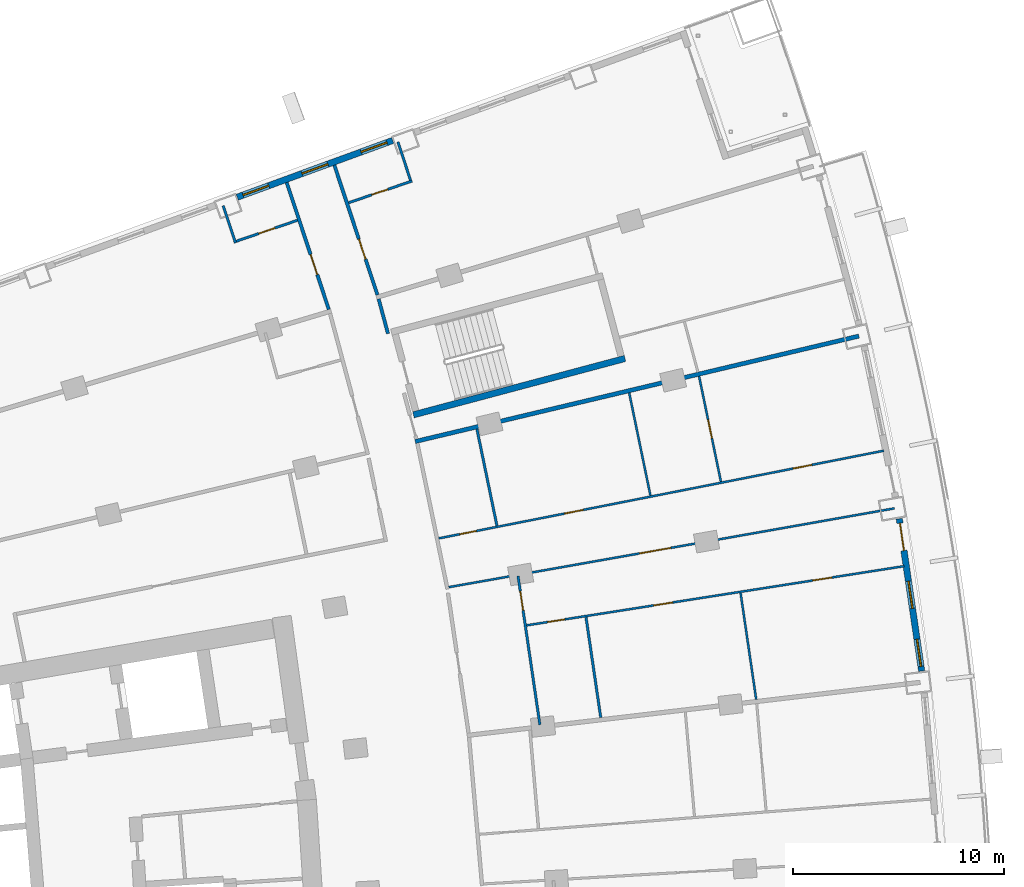
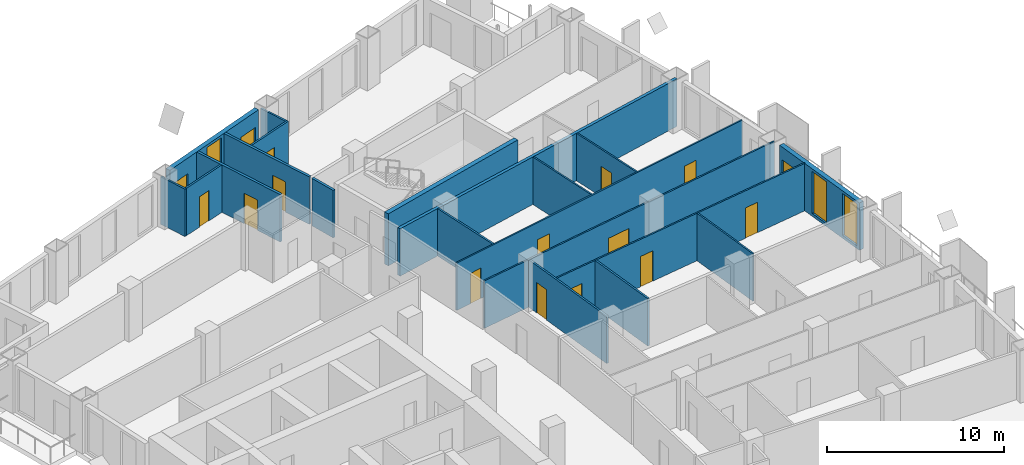
# One storey, part 20 of 25: 20 walls, 14 doors, 5 windows, 19 openings.
"""IFC4 building model written with IfcOpenShell, lengths in metres."""

from ifc_helpers import new_model, si_unit, direction, frame, frame_2d, origin, place, context, subcontext, project, spatial, rectangle, extrude, material, layer, layer_set, type_object, element, fill, save


model = new_model("IFC4")

# Units and contexts
model_context = context("Model", 3, precision=1e-05, world=origin(), true_north=direction((0.0, 1.0)))
body_context = subcontext(model_context, "Body", "Model", "MODEL_VIEW")
ifc_project = project(units=[si_unit("LENGTHUNIT", "METRE"), si_unit("AREAUNIT", "SQUARE_METRE"), si_unit("VOLUMEUNIT", "CUBIC_METRE"), si_unit("PLANEANGLEUNIT", "RADIAN"), si_unit("MASSUNIT", "GRAM", prefix="KILO")], contexts=[model_context])

# Site, building, storey
site_placement = place(None, origin())
site = spatial("IfcSite", under=ifc_project, at=site_placement, CompositionType="ELEMENT")
building_placement = place(site_placement, origin())
building = spatial("IfcBuilding", under=site, at=building_placement, Name="Alderwake Tower", CompositionType="ELEMENT")
storey_placement = place(building_placement, frame((0.0, 0.0, 60.800048828125)))
storey = spatial("IfcBuildingStorey", under=building, at=storey_placement, Name="L14", CompositionType="ELEMENT", Elevation=60.800048828125)

# Wall
ifc_material_1 = material(Name="Concrete C70/85", Category="concrete")
ifc_layer_1 = layer(ifc_material_1, 0.300048828125)
ifc_layer_set_1 = layer_set([ifc_layer_1], Name="Core wall stair enclosure 300 C70-85")
wall_type_1 = type_object("IfcWallType", Name="Core wall stair enclosure 300 C70-85", PredefinedType="SHEAR", material=ifc_layer_set_1)
wall_1_placement = place(storey_placement, frame((37.75390625, 90.268798828125, 0.0), z_axis=(0.0, 0.0, 1.0), x_axis=(0.966309214305, 0.257383958996, 0.0)))
element("IfcWall", 1, at=wall_1_placement, inside=storey, type_object=wall_type_1, Name="Core wall CW.084", PredefinedType="SHEAR", context=body_context, shape_type="SweptSolid", body=[
    extrude(rectangle(XDim=10.360107421875, YDim=0.300048828125, at=frame_2d((5.18017578125, 0.0))), origin(), (0.0, 0.0, 1.0), 3.599853515625),
])

# Wall, opening, door
ifc_material_2 = material(Name="Gypsum board on metal studs, rated")
ifc_layer_2 = layer(ifc_material_2, 0.159912109375)
ifc_layer_set_2 = layer_set([ifc_layer_2], Name="Corridor wall 160")
wall_type_2 = type_object("IfcWallType", Name="Corridor wall 160", PredefinedType="PARTITIONING", material=ifc_layer_set_2)
wall_2_placement = place(storey_placement, frame((33.75146484375, 95.2548828125, 0.0), z_axis=(0.0, 0.0, 1.0), x_axis=(-0.315406156735, 0.948956772616, 0.0)))
wall_2 = element("IfcWall", 2, at=wall_2_placement, inside=storey, type_object=wall_type_2, Name="WL/L14/W17", PredefinedType="PARTITIONING", context=body_context, shape_type="SweptSolid", body=[
    extrude(rectangle(XDim=6.330078125, YDim=0.159912109375, at=frame_2d((3.1650390625, 0.0))), origin(), (0.0, 0.0, 1.0), 3.280029296875),
])
opening_1_placement = place(wall_2_placement, frame((1.737060546875, 0.0, 0.0)))
opening_1 = element("IfcOpeningElement", 3, at=opening_1_placement, cuts=wall_2, Name="Opening R03-U12.1", PredefinedType="OPENING", context=body_context, shape_type="SweptSolid", body=[
    extrude(rectangle(XDim=1.0, YDim=2.10009765625, at=frame_2d((0.5, 1.050048828125))), frame((0.0, 0.08984375, 0.0), z_axis=(0.0, -1.0, 0.0), x_axis=(1.0, 0.0, 0.0)), (0.0, 0.0, 1.0), 0.179931640625),
])
ifc_material_3 = material(Name="Solid timber leaf in steel frame", Category="steel")
door_type_1 = type_object("IfcDoorType", Name="Flat entrance door 1000 fire-rated", OperationType="SINGLE_SWING_LEFT", PredefinedType="DOOR", material=ifc_material_3)
door_1_placement = place(opening_1_placement, origin())
door_1 = element("IfcDoor", 4, at=door_1_placement, inside=storey, type_object=door_type_1, Name="DR/L14/U12.1", OperationType="SINGLE_SWING_LEFT", OverallHeight=2.10009765625, OverallWidth=1.0, PredefinedType="DOOR", context=body_context, shape_type="SweptSolid", body=[
    extrude(rectangle(XDim=1.0, YDim=2.10009765625, at=frame_2d((0.5, 1.050048828125))), frame((0.0, 0.02490234375, 0.0), z_axis=(0.0, -1.0, 0.0), x_axis=(1.0, 0.0, 0.0)), (0.0, 0.0, 1.0), 0.050048828125),
])
fill(opening_1, door_1)

wall_3_placement = place(storey_placement, frame((34.010986328125, 102.083984375, 0.0), z_axis=(0.0, 0.0, 1.0), x_axis=(0.315140606423, -0.949044992708, 0.0)))
wall_3 = element("IfcWall", 5, at=wall_3_placement, inside=storey, type_object=wall_type_2, Name="WL/L14/W25", PredefinedType="PARTITIONING", context=body_context, shape_type="SweptSolid", body=[
    extrude(rectangle(XDim=6.46875, YDim=0.159912109375, at=frame_2d((3.234375, 0.0))), origin(), (0.0, 0.0, 1.0), 3.280029296875),
])
opening_2_placement = place(wall_3_placement, frame((3.685546875, 0.0, 0.0)))
opening_2 = element("IfcOpeningElement", 6, at=opening_2_placement, cuts=wall_3, Name="Opening R03-U04.1", PredefinedType="OPENING", context=body_context, shape_type="SweptSolid", body=[
    extrude(rectangle(XDim=1.0, YDim=2.10009765625, at=frame_2d((0.5, 1.050048828125))), frame((0.0, 0.08984375, 0.0), z_axis=(0.0, -1.0, 0.0), x_axis=(1.0, 0.0, 0.0)), (0.0, 0.0, 1.0), 0.179931640625),
])
door_2_placement = place(opening_2_placement, origin())
door_2 = element("IfcDoor", 7, at=door_2_placement, inside=storey, type_object=door_type_1, Name="DR/L14/U04.1", OperationType="SINGLE_SWING_LEFT", OverallHeight=2.10009765625, OverallWidth=1.0, PredefinedType="DOOR", context=body_context, shape_type="SweptSolid", body=[
    extrude(rectangle(XDim=1.0, YDim=2.10009765625, at=frame_2d((0.5, 1.050048828125))), frame((0.0, 0.02490234375, 0.0), z_axis=(0.0, -1.0, 0.0), x_axis=(1.0, 0.0, 0.0)), (0.0, 0.0, 1.0), 0.050048828125),
])
fill(opening_2, door_2)

# Wall
wall_4_placement = place(storey_placement, frame((36.549072265625, 94.110107421875, 0.0), z_axis=(0.0, 0.0, 1.0), x_axis=(-0.259813977097, 0.965658685719, 0.0)))
element("IfcWall", 8, at=wall_4_placement, inside=storey, type_object=wall_type_2, Name="WL/L14/W28", PredefinedType="PARTITIONING", context=body_context, shape_type="SweptSolid", body=[
    extrude(rectangle(XDim=1.70166015625, YDim=0.159912109375, at=frame_2d((0.850830078125, 0.0))), origin(), (0.0, 0.0, 1.0), 3.280029296875),
])

# Wall, openings, door, windows
ifc_material_4 = material(Name="Precast concrete C50/60 spandrel panel", Category="concrete")
ifc_layer_3 = layer(ifc_material_4, 0.300048828125)
ifc_layer_set_3 = layer_set([ifc_layer_3], Name="External wall EW1 Precast concrete C50/60 spandrel")
wall_type_3 = type_object("IfcWallType", Name="External wall EW1 Precast concrete C50/60 spandrel", PredefinedType="SOLIDWALL", material=ifc_layer_set_3)
wall_5_placement = place(storey_placement, frame((61.802734375, 78.147216796875, 0.0), z_axis=(0.0, 0.0, 1.0), x_axis=(-0.14532991295, 0.989383250516, 0.0)))
wall_5 = element("IfcWall", 9, at=wall_5_placement, inside=storey, type_object=wall_type_3, Name="External wall 19", PredefinedType="SOLIDWALL", context=body_context, shape_type="SweptSolid", body=[
    extrude(rectangle(XDim=7.282470703125, YDim=0.300048828125, at=frame_2d((3.64111328125, 0.0))), origin(), (0.0, 0.0, 1.0), 3.280029296875),
])
opening_3_placement = place(wall_5_placement, frame((0.218994140625, 0.0, 0.199951171875)))
opening_3 = element("IfcOpeningElement", 10, at=opening_3_placement, cuts=wall_5, Name="Opening W1", PredefinedType="OPENING", context=body_context, shape_type="SweptSolid", body=[
    extrude(rectangle(XDim=1.300048828125, YDim=2.89990234375, at=frame_2d((0.64990234375, 1.449951171875))), frame((0.0, 0.159912109375, 0.0), z_axis=(0.0, -1.0, 0.0), x_axis=(1.0, 0.0, 0.0)), (0.0, 0.0, 1.0), 0.320068359375),
])
opening_4_placement = place(wall_5_placement, frame((2.9912109375, 0.0, 0.199951171875)))
opening_4 = element("IfcOpeningElement", 11, at=opening_4_placement, cuts=wall_5, Name="Opening W1", PredefinedType="OPENING", context=body_context, shape_type="SweptSolid", body=[
    extrude(rectangle(XDim=1.300048828125, YDim=2.89990234375, at=frame_2d((0.64990234375, 1.449951171875))), frame((0.0, 0.159912109375, 0.0), z_axis=(0.0, -1.0, 0.0), x_axis=(1.0, 0.0, 0.0)), (0.0, 0.0, 1.0), 0.320068359375),
])
opening_5_placement = place(wall_5_placement, frame((5.763671875, 0.0, 0.0)))
opening_5 = element("IfcOpeningElement", 12, at=opening_5_placement, cuts=wall_5, Name="Opening D09", PredefinedType="OPENING", context=body_context, shape_type="SweptSolid", body=[
    extrude(rectangle(XDim=1.300048828125, YDim=2.39990234375, at=frame_2d((0.64990234375, 1.199951171875))), frame((0.0, 0.159912109375, 0.0), z_axis=(0.0, -1.0, 0.0), x_axis=(1.0, 0.0, 0.0)), (0.0, 0.0, 1.0), 0.320068359375),
])
ifc_material_5 = material(Name="Bronze tinted glass in aluminium frame", Category="aluminium")
door_type_2 = type_object("IfcDoorType", Name="Balcony door BD sliding", OperationType="SLIDING_TO_LEFT", PredefinedType="DOOR", material=ifc_material_5)
door_3_placement = place(opening_5_placement, origin())
door_3 = element("IfcDoor", 13, at=door_3_placement, inside=storey, type_object=door_type_2, Name="Door D09", OperationType="SLIDING_TO_LEFT", OverallHeight=2.39990234375, OverallWidth=1.300048828125, PredefinedType="DOOR", context=body_context, shape_type="SweptSolid", body=[
    extrude(rectangle(XDim=1.300048828125, YDim=2.39990234375, at=frame_2d((0.64990234375, 1.199951171875))), frame((0.0, 0.02490234375, 0.0), z_axis=(0.0, -1.0, 0.0), x_axis=(1.0, 0.0, 0.0)), (0.0, 0.0, 1.0), 0.050048828125),
])
fill(opening_5, door_3)
ifc_material_6 = material(Name="Bronze tinted glass in aluminium frame", Category="aluminium")
window_type_1 = type_object("IfcWindowType", Name="Window W1 tall fixed and vent", PartitioningType="DOUBLE_PANEL_VERTICAL", PredefinedType="WINDOW", material=ifc_material_6)
window_1_placement = place(opening_3_placement, origin())
window_1 = element("IfcWindow", 14, at=window_1_placement, inside=storey, type_object=window_type_1, Name="Window W1 tall fixed and vent", OverallHeight=2.89990234375, OverallWidth=1.300048828125, PartitioningType="DOUBLE_PANEL_VERTICAL", PredefinedType="WINDOW", context=body_context, shape_type="SweptSolid", body=[
    extrude(rectangle(XDim=1.300048828125, YDim=2.89990234375, at=frame_2d((0.64990234375, 1.449951171875))), frame((0.0, 0.030029296875, 0.0), z_axis=(0.0, -1.0, 0.0), x_axis=(1.0, 0.0, 0.0)), (0.0, 0.0, 1.0), 0.06005859375),
])
fill(opening_3, window_1)
window_2_placement = place(opening_4_placement, origin())
window_2 = element("IfcWindow", 15, at=window_2_placement, inside=storey, type_object=window_type_1, Name="Window W1 tall fixed and vent", OverallHeight=2.89990234375, OverallWidth=1.300048828125, PartitioningType="DOUBLE_PANEL_VERTICAL", PredefinedType="WINDOW", context=body_context, shape_type="SweptSolid", body=[
    extrude(rectangle(XDim=1.300048828125, YDim=2.89990234375, at=frame_2d((0.64990234375, 1.449951171875))), frame((0.0, 0.030029296875, 0.0), z_axis=(0.0, -1.0, 0.0), x_axis=(1.0, 0.0, 0.0)), (0.0, 0.0, 1.0), 0.06005859375),
])
fill(opening_4, window_2)

# Wall, openings, windows
ifc_material_7 = material(Name="Bronze metal cladding on lightweight framing")
ifc_layer_4 = layer(ifc_material_7, 0.300048828125)
ifc_layer_set_4 = layer_set([ifc_layer_4], Name="External wall EW2 bronze metal cladding")
wall_type_4 = type_object("IfcWallType", Name="External wall EW2 bronze metal cladding", PredefinedType="SOLIDWALL", material=ifc_layer_set_4)
wall_6_placement = place(storey_placement, frame((36.77099609375, 103.252197265625, 0.0), z_axis=(0.0, 0.0, 1.0), x_axis=(-0.939370235271, -0.34290459473, 0.0)))
wall_6 = element("IfcWall", 16, at=wall_6_placement, inside=storey, type_object=wall_type_4, Name="External wall 27", PredefinedType="SOLIDWALL", context=body_context, shape_type="SweptSolid", body=[
    extrude(rectangle(XDim=7.828857421875, YDim=0.300048828125, at=frame_2d((3.91455078125, 0.0))), origin(), (0.0, 0.0, 1.0), 3.280029296875),
])
opening_6_placement = place(wall_6_placement, frame((0.28662109375, 0.0, 1.0)))
opening_6 = element("IfcOpeningElement", 17, at=opening_6_placement, cuts=wall_6, Name="Opening W2", PredefinedType="OPENING", context=body_context, shape_type="SweptSolid", body=[
    extrude(rectangle(XDim=1.300048828125, YDim=1.199951171875, at=frame_2d((0.64990234375, 0.60009765625))), frame((0.0, 0.159912109375, 0.0), z_axis=(0.0, -1.0, 0.0), x_axis=(1.0, 0.0, 0.0)), (0.0, 0.0, 1.0), 0.320068359375),
])
opening_7_placement = place(wall_6_placement, frame((3.2646484375, 0.0, 0.199951171875)))
opening_7 = element("IfcOpeningElement", 18, at=opening_7_placement, cuts=wall_6, Name="Opening W1", PredefinedType="OPENING", context=body_context, shape_type="SweptSolid", body=[
    extrude(rectangle(XDim=1.300048828125, YDim=2.89990234375, at=frame_2d((0.64990234375, 1.449951171875))), frame((0.0, 0.159912109375, 0.0), z_axis=(0.0, -1.0, 0.0), x_axis=(1.0, 0.0, 0.0)), (0.0, 0.0, 1.0), 0.320068359375),
])
opening_8_placement = place(wall_6_placement, frame((6.242431640625, 0.0, 1.0)))
opening_8 = element("IfcOpeningElement", 19, at=opening_8_placement, cuts=wall_6, Name="Opening W2", PredefinedType="OPENING", context=body_context, shape_type="SweptSolid", body=[
    extrude(rectangle(XDim=1.300048828125, YDim=1.199951171875, at=frame_2d((0.64990234375, 0.60009765625))), frame((0.0, 0.159912109375, 0.0), z_axis=(0.0, -1.0, 0.0), x_axis=(1.0, 0.0, 0.0)), (0.0, 0.0, 1.0), 0.320068359375),
])
window_3_placement = place(opening_7_placement, origin())
window_3 = element("IfcWindow", 20, at=window_3_placement, inside=storey, type_object=window_type_1, Name="Window W1 tall fixed and vent", OverallHeight=2.89990234375, OverallWidth=1.300048828125, PartitioningType="DOUBLE_PANEL_VERTICAL", PredefinedType="WINDOW", context=body_context, shape_type="SweptSolid", body=[
    extrude(rectangle(XDim=1.300048828125, YDim=2.89990234375, at=frame_2d((0.64990234375, 1.449951171875))), frame((0.0, 0.030029296875, 0.0), z_axis=(0.0, -1.0, 0.0), x_axis=(1.0, 0.0, 0.0)), (0.0, 0.0, 1.0), 0.06005859375),
])
fill(opening_7, window_3)
ifc_material_8 = material(Name="Bronze tinted glass in aluminium frame", Category="aluminium")
window_type_2 = type_object("IfcWindowType", Name="Window W2 kitchen and bath", PartitioningType="SINGLE_PANEL", PredefinedType="WINDOW", material=ifc_material_8)
window_4_placement = place(opening_6_placement, origin())
window_4 = element("IfcWindow", 21, at=window_4_placement, inside=storey, type_object=window_type_2, Name="Window W2 kitchen and bath", OverallHeight=1.199951171875, OverallWidth=1.300048828125, PartitioningType="SINGLE_PANEL", PredefinedType="WINDOW", context=body_context, shape_type="SweptSolid", body=[
    extrude(rectangle(XDim=1.300048828125, YDim=1.199951171875, at=frame_2d((0.64990234375, 0.60009765625))), frame((0.0, 0.030029296875, 0.0), z_axis=(0.0, -1.0, 0.0), x_axis=(1.0, 0.0, 0.0)), (0.0, 0.0, 1.0), 0.06005859375),
])
fill(opening_6, window_4)
window_5_placement = place(opening_8_placement, origin())
window_5 = element("IfcWindow", 22, at=window_5_placement, inside=storey, type_object=window_type_2, Name="Window W2 kitchen and bath", OverallHeight=1.199951171875, OverallWidth=1.300048828125, PartitioningType="SINGLE_PANEL", PredefinedType="WINDOW", context=body_context, shape_type="SweptSolid", body=[
    extrude(rectangle(XDim=1.300048828125, YDim=1.199951171875, at=frame_2d((0.64990234375, 0.60009765625))), frame((0.0, 0.030029296875, 0.0), z_axis=(0.0, -1.0, 0.0), x_axis=(1.0, 0.0, 0.0)), (0.0, 0.0, 1.0), 0.06005859375),
])
fill(opening_8, window_5)

# Wall
ifc_material_9 = material(Name="Dense block masonry wall", Category="masonry")
ifc_layer_5 = layer(ifc_material_9, 0.199951171875)
ifc_layer_set_5 = layer_set([ifc_layer_5], Name="Party wall 200")
wall_type_5 = type_object("IfcWallType", Name="Party wall 200", PredefinedType="SOLIDWALL", material=ifc_layer_set_5)
wall_7_placement = place(storey_placement, frame((37.839111328125, 89.006591796875, 0.0), z_axis=(0.0, 0.0, 1.0), x_axis=(0.972900578851, 0.23122383889, 0.0)))
element("IfcWall", 23, at=wall_7_placement, inside=storey, type_object=wall_type_5, Name="WL/L14/W05", PredefinedType="SOLIDWALL", context=body_context, shape_type="SweptSolid", body=[
    extrude(rectangle(XDim=21.57861328125, YDim=0.199951171875, at=frame_2d((10.789306640625, 0.0))), origin(), (0.0, 0.0, 1.0), 3.280029296875),
])

# Wall, openings, doors
ifc_material_10 = material(Name="Gypsum board on metal studs")
ifc_layer_6 = layer(ifc_material_10, 0.10009765625)
ifc_layer_set_6 = layer_set([ifc_layer_6], Name="Unit partition 100")
wall_type_6 = type_object("IfcWallType", Name="Unit partition 100", PredefinedType="PARTITIONING", material=ifc_layer_set_6)
wall_8_placement = place(storey_placement, frame((38.949462890625, 84.423583984375, 0.0), z_axis=(0.0, 0.0, 1.0), x_axis=(0.981145266599, 0.1932717409, 0.0)))
wall_8 = element("IfcWall", 24, at=wall_8_placement, inside=storey, type_object=wall_type_6, Name="WL/L14/W67", PredefinedType="PARTITIONING", context=body_context, shape_type="SweptSolid", body=[
    extrude(rectangle(XDim=21.46435546875, YDim=0.10009765625, at=frame_2d((10.732177734375, 0.0))), origin(), (0.0, 0.0, 1.0), 3.280029296875),
])
opening_9_placement = place(wall_8_placement, frame((6.070556640625, 0.0, 0.0)))
opening_9 = element("IfcOpeningElement", 25, at=opening_9_placement, cuts=wall_8, Name="Opening R03-U08.6", PredefinedType="OPENING", context=body_context, shape_type="SweptSolid", body=[
    extrude(rectangle(XDim=0.89990234375, YDim=2.10009765625, at=frame_2d((0.449951171875, 1.050048828125))), frame((0.0, 0.06005859375, 0.0), z_axis=(0.0, -1.0, 0.0), x_axis=(1.0, 0.0, 0.0)), (0.0, 0.0, 1.0), 0.1201171875),
])
opening_10_placement = place(wall_8_placement, frame((1.009521484375, 0.0, 0.0)))
opening_10 = element("IfcOpeningElement", 26, at=opening_10_placement, cuts=wall_8, Name="Opening R03-U08.7", PredefinedType="OPENING", context=body_context, shape_type="SweptSolid", body=[
    extrude(rectangle(XDim=0.800048828125, YDim=2.10009765625, at=frame_2d((0.39990234375, 1.050048828125))), frame((0.0, 0.06005859375, 0.0), z_axis=(0.0, -1.0, 0.0), x_axis=(1.0, 0.0, 0.0)), (0.0, 0.0, 1.0), 0.1201171875),
])
opening_11_placement = place(wall_8_placement, frame((17.09130859375, 0.0, 0.0)))
opening_11 = element("IfcOpeningElement", 27, at=opening_11_placement, cuts=wall_8, Name="Opening R03-U08.8", PredefinedType="OPENING", context=body_context, shape_type="SweptSolid", body=[
    extrude(rectangle(XDim=0.89990234375, YDim=2.10009765625, at=frame_2d((0.449951171875, 1.050048828125))), frame((0.0, 0.06005859375, 0.0), z_axis=(0.0, -1.0, 0.0), x_axis=(1.0, 0.0, 0.0)), (0.0, 0.0, 1.0), 0.1201171875),
])
ifc_material_11 = material(Name="Painted timber leaf", Category="wood")
door_type_3 = type_object("IfcDoorType", Name="Bathroom door 800", OperationType="SINGLE_SWING_LEFT", PredefinedType="DOOR", material=ifc_material_11)
door_4_placement = place(opening_10_placement, origin())
door_4 = element("IfcDoor", 28, at=door_4_placement, inside=storey, type_object=door_type_3, Name="DR/L14/U08.7", OperationType="SINGLE_SWING_LEFT", OverallHeight=2.10009765625, OverallWidth=0.800048828125, PredefinedType="DOOR", context=body_context, shape_type="SweptSolid", body=[
    extrude(rectangle(XDim=0.800048828125, YDim=2.10009765625, at=frame_2d((0.39990234375, 1.050048828125))), frame((0.0, 0.02490234375, 0.0), z_axis=(0.0, -1.0, 0.0), x_axis=(1.0, 0.0, 0.0)), (0.0, 0.0, 1.0), 0.050048828125),
])
fill(opening_10, door_4)
ifc_material_12 = material(Name="Painted timber leaf", Category="wood")
door_type_4 = type_object("IfcDoorType", Name="Room door 900", OperationType="SINGLE_SWING_LEFT", PredefinedType="DOOR", material=ifc_material_12)
door_5_placement = place(opening_9_placement, origin())
door_5 = element("IfcDoor", 29, at=door_5_placement, inside=storey, type_object=door_type_4, Name="DR/L14/U08.6", OperationType="SINGLE_SWING_LEFT", OverallHeight=2.10009765625, OverallWidth=0.89990234375, PredefinedType="DOOR", context=body_context, shape_type="SweptSolid", body=[
    extrude(rectangle(XDim=0.89990234375, YDim=2.10009765625, at=frame_2d((0.449951171875, 1.050048828125))), frame((0.0, 0.02490234375, 0.0), z_axis=(0.0, -1.0, 0.0), x_axis=(1.0, 0.0, 0.0)), (0.0, 0.0, 1.0), 0.050048828125),
])
fill(opening_9, door_5)
door_6_placement = place(opening_11_placement, origin())
door_6 = element("IfcDoor", 30, at=door_6_placement, inside=storey, type_object=door_type_4, Name="DR/L14/U08.8", OperationType="SINGLE_SWING_LEFT", OverallHeight=2.10009765625, OverallWidth=0.89990234375, PredefinedType="DOOR", context=body_context, shape_type="SweptSolid", body=[
    extrude(rectangle(XDim=0.89990234375, YDim=2.10009765625, at=frame_2d((0.449951171875, 1.050048828125))), frame((0.0, 0.02490234375, 0.0), z_axis=(0.0, -1.0, 0.0), x_axis=(1.0, 0.0, 0.0)), (0.0, 0.0, 1.0), 0.050048828125),
])
fill(opening_11, door_6)

# Wall, opening, door
wall_9_placement = place(storey_placement, frame((39.4267578125, 82.114990234375, 0.0), z_axis=(0.0, 0.0, 1.0), x_axis=(0.984721073887, 0.174139043994, 0.0)))
wall_9 = element("IfcWall", 31, at=wall_9_placement, inside=storey, type_object=wall_type_6, Name="WL/L14/W68", PredefinedType="PARTITIONING", context=body_context, shape_type="SweptSolid", body=[
    extrude(rectangle(XDim=21.41943359375, YDim=0.10009765625, at=frame_2d((10.709716796875, 0.0))), origin(), (0.0, 0.0, 1.0), 3.280029296875),
])
opening_12_placement = place(wall_9_placement, frame((9.166259765625, 0.0, 0.0)))
opening_12 = element("IfcOpeningElement", 32, at=opening_12_placement, cuts=wall_9, Name="Opening R03-U08.10", PredefinedType="OPENING", context=body_context, shape_type="SweptSolid", body=[
    extrude(rectangle(XDim=1.5, YDim=2.10009765625, at=frame_2d((0.75, 1.050048828125))), frame((0.0, 0.06005859375, 0.0), z_axis=(0.0, -1.0, 0.0), x_axis=(1.0, 0.0, 0.0)), (0.0, 0.0, 1.0), 0.1201171875),
])
ifc_material_13 = material(Name="Painted timber leaves", Category="wood")
door_type_5 = type_object("IfcDoorType", Name="Double leaf door 1500", OperationType="DOUBLE_DOOR_SINGLE_SWING", PredefinedType="DOOR", material=ifc_material_13)
door_7_placement = place(opening_12_placement, origin())
door_7 = element("IfcDoor", 33, at=door_7_placement, inside=storey, type_object=door_type_5, Name="DR/L14/U08.10", OperationType="DOUBLE_DOOR_SINGLE_SWING", OverallHeight=2.10009765625, OverallWidth=1.5, PredefinedType="DOOR", context=body_context, shape_type="SweptSolid", body=[
    extrude(rectangle(XDim=1.5, YDim=2.10009765625, at=frame_2d((0.75, 1.050048828125))), frame((0.0, 0.02490234375, 0.0), z_axis=(0.0, -1.0, 0.0), x_axis=(1.0, 0.0, 0.0)), (0.0, 0.0, 1.0), 0.050048828125),
])
fill(opening_12, door_7)

# Wall, openings, doors
wall_10_placement = place(storey_placement, frame((60.97509765625, 83.10888671875, 0.0), z_axis=(0.0, 0.0, 1.0), x_axis=(-0.987927589792, -0.154916355911, 0.0)))
wall_10 = element("IfcWall", 34, at=wall_10_placement, inside=storey, type_object=wall_type_6, Name="WL/L14/W72", PredefinedType="PARTITIONING", context=body_context, shape_type="SweptSolid", body=[
    extrude(rectangle(XDim=18.083984375, YDim=0.10009765625, at=frame_2d((9.0419921875, 0.0))), origin(), (0.0, 0.0, 1.0), 3.280029296875),
])
opening_13_placement = place(wall_10_placement, frame((11.094970703125, 0.0, 0.0)))
opening_13 = element("IfcOpeningElement", 35, at=opening_13_placement, cuts=wall_10, Name="Opening R03-U08.1", PredefinedType="OPENING", context=body_context, shape_type="SweptSolid", body=[
    extrude(rectangle(XDim=0.89990234375, YDim=2.10009765625, at=frame_2d((0.449951171875, 1.050048828125))), frame((0.0, 0.06005859375, 0.0), z_axis=(0.0, -1.0, 0.0), x_axis=(1.0, 0.0, 0.0)), (0.0, 0.0, 1.0), 0.1201171875),
])
opening_14_placement = place(wall_10_placement, frame((16.26513671875, 0.0, 0.0)))
opening_14 = element("IfcOpeningElement", 36, at=opening_14_placement, cuts=wall_10, Name="Opening R03-U08.4", PredefinedType="OPENING", context=body_context, shape_type="SweptSolid", body=[
    extrude(rectangle(XDim=0.800048828125, YDim=2.10009765625, at=frame_2d((0.39990234375, 1.050048828125))), frame((0.0, 0.06005859375, 0.0), z_axis=(0.0, -1.0, 0.0), x_axis=(1.0, 0.0, 0.0)), (0.0, 0.0, 1.0), 0.1201171875),
])
opening_15_placement = place(wall_10_placement, frame((3.47265625, 0.0, 0.0)))
opening_15 = element("IfcOpeningElement", 37, at=opening_15_placement, cuts=wall_10, Name="Opening R03-U08.5", PredefinedType="OPENING", context=body_context, shape_type="SweptSolid", body=[
    extrude(rectangle(XDim=0.89990234375, YDim=2.10009765625, at=frame_2d((0.449951171875, 1.050048828125))), frame((0.0, 0.06005859375, 0.0), z_axis=(0.0, -1.0, 0.0), x_axis=(1.0, 0.0, 0.0)), (0.0, 0.0, 1.0), 0.1201171875),
])
door_8_placement = place(opening_14_placement, origin())
door_8 = element("IfcDoor", 38, at=door_8_placement, inside=storey, type_object=door_type_3, Name="DR/L14/U08.4", OperationType="SINGLE_SWING_LEFT", OverallHeight=2.10009765625, OverallWidth=0.800048828125, PredefinedType="DOOR", context=body_context, shape_type="SweptSolid", body=[
    extrude(rectangle(XDim=0.800048828125, YDim=2.10009765625, at=frame_2d((0.39990234375, 1.050048828125))), frame((0.0, 0.02490234375, 0.0), z_axis=(0.0, -1.0, 0.0), x_axis=(1.0, 0.0, 0.0)), (0.0, 0.0, 1.0), 0.050048828125),
])
fill(opening_14, door_8)
door_9_placement = place(opening_13_placement, origin())
door_9 = element("IfcDoor", 39, at=door_9_placement, inside=storey, type_object=door_type_4, Name="DR/L14/U08.1", OperationType="SINGLE_SWING_LEFT", OverallHeight=2.10009765625, OverallWidth=0.89990234375, PredefinedType="DOOR", context=body_context, shape_type="SweptSolid", body=[
    extrude(rectangle(XDim=0.89990234375, YDim=2.10009765625, at=frame_2d((0.449951171875, 1.050048828125))), frame((0.0, 0.02490234375, 0.0), z_axis=(0.0, -1.0, 0.0), x_axis=(1.0, 0.0, 0.0)), (0.0, 0.0, 1.0), 0.050048828125),
])
fill(opening_13, door_9)
door_10_placement = place(opening_15_placement, origin())
door_10 = element("IfcDoor", 40, at=door_10_placement, inside=storey, type_object=door_type_4, Name="DR/L14/U08.5", OperationType="SINGLE_SWING_LEFT", OverallHeight=2.10009765625, OverallWidth=0.89990234375, PredefinedType="DOOR", context=body_context, shape_type="SweptSolid", body=[
    extrude(rectangle(XDim=0.89990234375, YDim=2.10009765625, at=frame_2d((0.449951171875, 1.050048828125))), frame((0.0, 0.02490234375, 0.0), z_axis=(0.0, -1.0, 0.0), x_axis=(1.0, 0.0, 0.0)), (0.0, 0.0, 1.0), 0.050048828125),
])
fill(opening_15, door_10)

# Wall
wall_11_placement = place(storey_placement, frame((48.968017578125, 86.448974609375, 0.0), z_axis=(0.0, 0.0, 1.0), x_axis=(-0.202431544222, 0.979296415752, 0.0)))
element("IfcWall", 41, at=wall_11_placement, inside=storey, type_object=wall_type_6, Name="WL/L14/W78", PredefinedType="PARTITIONING", context=body_context, shape_type="SweptSolid", body=[
    extrude(rectangle(XDim=4.962890625, YDim=0.10009765625, at=frame_2d((2.4814453125, 0.0))), origin(), (0.0, 0.0, 1.0), 3.280029296875),
])

# Wall, opening, door
wall_12_placement = place(storey_placement, frame((52.3037109375, 87.10595703125, 0.0), z_axis=(0.0, 0.0, 1.0), x_axis=(-0.20302230098, 0.979174113886, 0.0)))
wall_12 = element("IfcWall", 42, at=wall_12_placement, inside=storey, type_object=wall_type_6, Name="WL/L14/W84", PredefinedType="PARTITIONING", context=body_context, shape_type="SweptSolid", body=[
    extrude(rectangle(XDim=5.09521484375, YDim=0.10009765625, at=frame_2d((2.547607421875, 0.0))), origin(), (0.0, 0.0, 1.0), 3.280029296875),
])
opening_16_placement = place(wall_12_placement, frame((2.09765625, 0.0, 0.0)))
opening_16 = element("IfcOpeningElement", 43, at=opening_16_placement, cuts=wall_12, Name="Opening R03-U08.9", PredefinedType="OPENING", context=body_context, shape_type="SweptSolid", body=[
    extrude(rectangle(XDim=0.89990234375, YDim=2.10009765625, at=frame_2d((0.449951171875, 1.050048828125))), frame((0.0, 0.06005859375, 0.0), z_axis=(0.0, -1.0, 0.0), x_axis=(1.0, 0.0, 0.0)), (0.0, 0.0, 1.0), 0.1201171875),
])
door_11_placement = place(opening_16_placement, origin())
door_11 = element("IfcDoor", 44, at=door_11_placement, inside=storey, type_object=door_type_4, Name="DR/L14/U08.9", OperationType="SINGLE_SWING_LEFT", OverallHeight=2.10009765625, OverallWidth=0.89990234375, PredefinedType="DOOR", context=body_context, shape_type="SweptSolid", body=[
    extrude(rectangle(XDim=0.89990234375, YDim=2.10009765625, at=frame_2d((0.449951171875, 1.050048828125))), frame((0.0, 0.02490234375, 0.0), z_axis=(0.0, -1.0, 0.0), x_axis=(1.0, 0.0, 0.0)), (0.0, 0.0, 1.0), 0.050048828125),
])
fill(opening_16, door_11)

# Walls
wall_13_placement = place(storey_placement, frame((53.973388671875, 76.802978515625, 0.0), z_axis=(0.0, 0.0, 1.0), x_axis=(-0.145223628797, 0.9893988567, 0.0)))
element("IfcWall", 45, at=wall_13_placement, inside=storey, type_object=wall_type_6, Name="WL/L14/W87", PredefinedType="PARTITIONING", context=body_context, shape_type="SweptSolid", body=[
    extrude(rectangle(XDim=5.095458984375, YDim=0.10009765625, at=frame_2d((2.5478515625, 0.0))), origin(), (0.0, 0.0, 1.0), 3.280029296875),
])
ifc_material_14 = material(Name="Moisture resistant gypsum board on metal studs")
ifc_layer_7 = layer(ifc_material_14, 0.1201171875)
ifc_layer_set_7 = layer_set([ifc_layer_7], Name="Wet room partition 120")
wall_type_7 = type_object("IfcWallType", Name="Wet room partition 120", PredefinedType="PARTITIONING", material=ifc_layer_set_7)
wall_14_placement = place(storey_placement, frame((28.7490234375, 100.1640625, 0.0), z_axis=(0.0, 0.0, 1.0), x_axis=(0.314645530733, -0.949209244577, 0.0)))
element("IfcWall", 46, at=wall_14_placement, inside=storey, type_object=wall_type_7, Name="WL/L14/W41", PredefinedType="PARTITIONING", context=body_context, shape_type="SweptSolid", body=[
    extrude(rectangle(XDim=1.85205078125, YDim=0.1201171875, at=frame_2d((0.926025390625, 0.0))), origin(), (0.0, 0.0, 1.0), 3.280029296875),
])

# Wall, opening, door
wall_15_placement = place(storey_placement, frame((29.369873046875, 98.482421875, 0.0), z_axis=(0.0, 0.0, 1.0), x_axis=(0.945919367523, 0.324401834375, 0.0)))
wall_15 = element("IfcWall", 47, at=wall_15_placement, inside=storey, type_object=wall_type_7, Name="WL/L14/W42", PredefinedType="PARTITIONING", context=body_context, shape_type="SweptSolid", body=[
    extrude(rectangle(XDim=3.06005859375, YDim=0.1201171875, at=frame_2d((1.530029296875, 0.0))), origin(), (0.0, 0.0, 1.0), 3.280029296875),
])
opening_17_placement = place(wall_15_placement, frame((1.1298828125, 0.0, 0.0)))
opening_17 = element("IfcOpeningElement", 48, at=opening_17_placement, cuts=wall_15, Name="Opening R03-U12.2", PredefinedType="OPENING", context=body_context, shape_type="SweptSolid", body=[
    extrude(rectangle(XDim=0.800048828125, YDim=2.10009765625, at=frame_2d((0.39990234375, 1.050048828125))), frame((0.0, 0.070068359375, 0.0), z_axis=(0.0, -1.0, 0.0), x_axis=(1.0, 0.0, 0.0)), (0.0, 0.0, 1.0), 0.14013671875),
])
door_12_placement = place(opening_17_placement, origin())
door_12 = element("IfcDoor", 49, at=door_12_placement, inside=storey, type_object=door_type_3, Name="DR/L14/U12.2", OperationType="SINGLE_SWING_LEFT", OverallHeight=2.10009765625, OverallWidth=0.800048828125, PredefinedType="DOOR", context=body_context, shape_type="SweptSolid", body=[
    extrude(rectangle(XDim=0.800048828125, YDim=2.10009765625, at=frame_2d((0.39990234375, 1.050048828125))), frame((0.0, 0.02490234375, 0.0), z_axis=(0.0, -1.0, 0.0), x_axis=(1.0, 0.0, 0.0)), (0.0, 0.0, 1.0), 0.050048828125),
])
fill(opening_17, door_12)

wall_16_placement = place(storey_placement, frame((34.686767578125, 100.303955078125, 0.0), z_axis=(0.0, 0.0, 1.0), x_axis=(0.945825306408, 0.324675976566, 0.0)))
wall_16 = element("IfcWall", 50, at=wall_16_placement, inside=storey, type_object=wall_type_7, Name="WL/L14/W48", PredefinedType="PARTITIONING", context=body_context, shape_type="SweptSolid", body=[
    extrude(rectangle(XDim=3.177001953125, YDim=0.1201171875, at=frame_2d((1.58837890625, 0.0))), origin(), (0.0, 0.0, 1.0), 3.280029296875),
])
opening_18_placement = place(wall_16_placement, frame((1.158935546875, 0.0, 0.0)))
opening_18 = element("IfcOpeningElement", 51, at=opening_18_placement, cuts=wall_16, Name="Opening R03-U04.2", PredefinedType="OPENING", context=body_context, shape_type="SweptSolid", body=[
    extrude(rectangle(XDim=0.800048828125, YDim=2.10009765625, at=frame_2d((0.39990234375, 1.050048828125))), frame((0.0, 0.070068359375, 0.0), z_axis=(0.0, -1.0, 0.0), x_axis=(1.0, 0.0, 0.0)), (0.0, 0.0, 1.0), 0.14013671875),
])
door_13_placement = place(opening_18_placement, origin())
door_13 = element("IfcDoor", 52, at=door_13_placement, inside=storey, type_object=door_type_3, Name="DR/L14/U04.2", OperationType="SINGLE_SWING_LEFT", OverallHeight=2.10009765625, OverallWidth=0.800048828125, PredefinedType="DOOR", context=body_context, shape_type="SweptSolid", body=[
    extrude(rectangle(XDim=0.800048828125, YDim=2.10009765625, at=frame_2d((0.39990234375, 1.050048828125))), frame((0.0, 0.02490234375, 0.0), z_axis=(0.0, -1.0, 0.0), x_axis=(1.0, 0.0, 0.0)), (0.0, 0.0, 1.0), 0.050048828125),
])
fill(opening_18, door_13)

# Walls
wall_17_placement = place(storey_placement, frame((37.6162109375, 101.373046875, 0.0), z_axis=(0.0, 0.0, 1.0), x_axis=(-0.3144206194, 0.949283769005, 0.0)))
element("IfcWall", 53, at=wall_17_placement, inside=storey, type_object=wall_type_7, Name="WL/L14/W51", PredefinedType="PARTITIONING", context=body_context, shape_type="SweptSolid", body=[
    extrude(rectangle(XDim=1.905517578125, YDim=0.1201171875, at=frame_2d((0.95263671875, 0.0))), origin(), (0.0, 0.0, 1.0), 3.280029296875),
])
wall_18_placement = place(storey_placement, frame((41.704833984375, 85.01806640625, 0.0), z_axis=(0.0, 0.0, 1.0), x_axis=(-0.20267985984, 0.979245053301, 0.0)))
element("IfcWall", 54, at=wall_18_placement, inside=storey, type_object=wall_type_7, Name="WL/L14/W53", PredefinedType="PARTITIONING", context=body_context, shape_type="SweptSolid", body=[
    extrude(rectangle(XDim=4.6748046875, YDim=0.1201171875, at=frame_2d((2.33740234375, 0.0))), origin(), (0.0, 0.0, 1.0), 3.280029296875),
])

# Wall, opening, door
wall_19_placement = place(storey_placement, frame((42.703369140625, 82.6455078125, 0.0), z_axis=(0.0, 0.0, 1.0), x_axis=(0.145290574876, -0.989389028063, 0.0)))
wall_19 = element("IfcWall", 55, at=wall_19_placement, inside=storey, type_object=wall_type_7, Name="WL/L14/W55", PredefinedType="PARTITIONING", context=body_context, shape_type="SweptSolid", body=[
    extrude(rectangle(XDim=7.117919921875, YDim=0.1201171875, at=frame_2d((3.55908203125, 0.0))), origin(), (0.0, 0.0, 1.0), 3.280029296875),
])
opening_19_placement = place(wall_19_placement, frame((0.73681640625, 0.0, 0.0)))
opening_19 = element("IfcOpeningElement", 56, at=opening_19_placement, cuts=wall_19, Name="Opening R03-U08.3", PredefinedType="OPENING", context=body_context, shape_type="SweptSolid", body=[
    extrude(rectangle(XDim=0.89990234375, YDim=2.10009765625, at=frame_2d((0.449951171875, 1.050048828125))), frame((0.0, 0.070068359375, 0.0), z_axis=(0.0, -1.0, 0.0), x_axis=(1.0, 0.0, 0.0)), (0.0, 0.0, 1.0), 0.14013671875),
])
door_14_placement = place(opening_19_placement, origin())
door_14 = element("IfcDoor", 57, at=door_14_placement, inside=storey, type_object=door_type_4, Name="DR/L14/U08.3", OperationType="SINGLE_SWING_LEFT", OverallHeight=2.10009765625, OverallWidth=0.89990234375, PredefinedType="DOOR", context=body_context, shape_type="SweptSolid", body=[
    extrude(rectangle(XDim=0.89990234375, YDim=2.10009765625, at=frame_2d((0.449951171875, 1.050048828125))), frame((0.0, 0.02490234375, 0.0), z_axis=(0.0, -1.0, 0.0), x_axis=(1.0, 0.0, 0.0)), (0.0, 0.0, 1.0), 0.050048828125),
])
fill(opening_19, door_14)

# Wall
wall_20_placement = place(storey_placement, frame((46.617431640625, 75.93896484375, 0.0), z_axis=(0.0, 0.0, 1.0), x_axis=(-0.145238137818, 0.989396726962, 0.0)))
element("IfcWall", 58, at=wall_20_placement, inside=storey, type_object=wall_type_7, Name="WL/L14/W62", PredefinedType="PARTITIONING", context=body_context, shape_type="SweptSolid", body=[
    extrude(rectangle(XDim=4.8076171875, YDim=0.1201171875, at=frame_2d((2.40380859375, 0.0))), origin(), (0.0, 0.0, 1.0), 3.280029296875),
])

save(model, "model.ifc")
